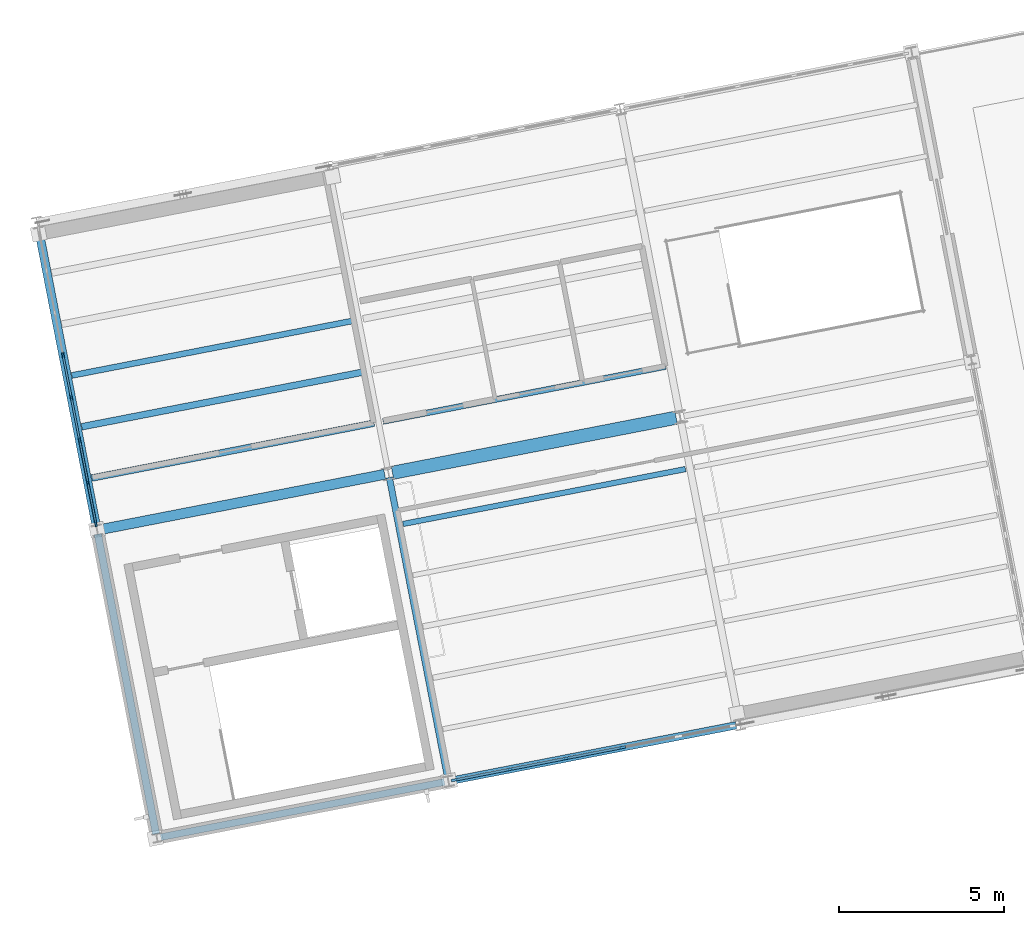
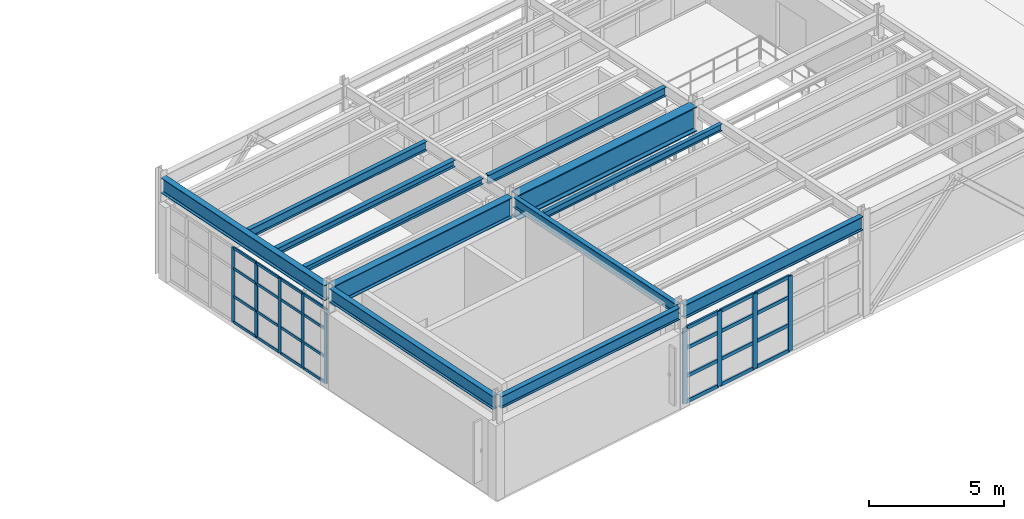
# One storey, part 18 of 102: 37 members, 12 beams, 2 elements without a shape of their own.
"""IFC4 building model written with IfcOpenShell, lengths in metres."""

from ifc_helpers import new_model, si_unit, direction, frame, origin, origin_2d, place, context, subcontext, project, spatial, rectangle, i_section, extrude, material, layer, layer_set, material_profile, profile_set, type_object, element, aggregate, save


model = new_model("IFC4")

# Units and contexts
model_context = context("Model", 3, precision=1e-05, world=origin(), true_north=direction((0.0, 1.0)))
body_context = subcontext(model_context, "Body", "Model", "MODEL_VIEW")
ifc_project = project(units=[si_unit("LENGTHUNIT", "METRE"), si_unit("AREAUNIT", "SQUARE_METRE"), si_unit("VOLUMEUNIT", "CUBIC_METRE"), si_unit("PLANEANGLEUNIT", "RADIAN"), si_unit("MASSUNIT", "GRAM", prefix="KILO")], contexts=[model_context])

# Site, building, storey
site_placement = place(None, origin())
site = spatial("IfcSite", under=ifc_project, at=site_placement, CompositionType="ELEMENT")
building_placement = place(site_placement, origin())
building = spatial("IfcBuilding", under=site, at=building_placement, Name="Vireo Bluff Cable Station", CompositionType="ELEMENT")
storey_placement = place(building_placement, frame((0.0, 0.0, 9.60009765625)))
storey = spatial("IfcBuildingStorey", under=building, at=storey_placement, Name="L02", CompositionType="ELEMENT", Elevation=9.60009765625)

# Beam
ifc_material_1 = material(Name="Steel ASTM A992 Gr. 50", Category="steel")
ifc_material_profile_1 = material_profile(ifc_material_1, i_section(OverallWidth=0.193115234375, OverallDepth=0.467041015625, WebThickness=0.011474609375, FlangeThickness=0.01904296875, FilletRadius=0.011962890625, at=origin_2d()), Name="W18X65")
ifc_profile_set_1 = profile_set([ifc_material_profile_1], Name="Steel ASTM A992 Gr. 50")
beam_type_1 = type_object("IfcBeamType", Name="BM-W18X65", PredefinedType="BEAM", material=ifc_profile_set_1)
beam_1_placement = place(storey_placement, frame((18.311767578125, 7.3349609375, 4.266357421875), z_axis=(-0.190799797627, 0.981628971264, 0.0), x_axis=(-0.981628971264, -0.190799797627, 0.0)))
element("IfcBeam", 1, at=beam_1_placement, inside=storey, type_object=beam_type_1, Name="V5 L02 beam 1260", PredefinedType="BEAM", context=body_context, shape_type="SweptSolid", body=[
    extrude(i_section(OverallWidth=0.193115234375, OverallDepth=0.467041015625, WebThickness=0.011474609375, FlangeThickness=0.01904296875, FilletRadius=0.011962890625, at=origin_2d()), origin(), (0.0, 0.0, 1.0), 9.26025390625),
])

# Curtain wall, members
ifc_material_2 = material(Name="Anodized Aluminium 6063-T6", Category="aluminium")
ifc_layer_1 = layer(ifc_material_2, 0.179931640625, Name="Anodized Aluminium 6063-T6")
ifc_layer_set_1 = layer_set([ifc_layer_1], Name="Anodized Aluminium 6063-T6")
curtain_wall_type_1 = type_object("IfcCurtainWallType", Name="CW-UNIT-1650", PredefinedType="USERDEFINED", material=ifc_layer_set_1)
curtain_wall_1_placement = place(storey_placement, origin())
curtain_wall_1 = element("IfcCurtainWall", 2, at=curtain_wall_1_placement, inside=storey, type_object=curtain_wall_type_1, Name="V5 L02 south curtain wall CW-125", ObjectType="UNITISED CURTAIN WALL", PredefinedType="USERDEFINED")
ifc_material_profile_2 = material_profile(ifc_material_2, rectangle(XDim=0.074951171875, YDim=0.2099609375, at=origin_2d()), Name="ALU-M-75X210")
ifc_profile_set_2 = profile_set([ifc_material_profile_2], Name="Anodized Aluminium 6063-T6")
member_type_1 = type_object("IfcMemberType", Name="CWM-02", PredefinedType="MULLION", material=ifc_profile_set_2)
member_1_placement = place(storey_placement, frame((23.603515625, 8.241455078125, 0.0), z_axis=(0.0, 0.0, 1.0), x_axis=(0.190808983435, -0.981627185769, 0.0)))
member_1 = element("IfcMember", 3, at=member_1_placement, type_object=member_type_1, Name="CW-125 mullion 3", PredefinedType="MULLION", context=body_context, shape_type="SweptSolid", body=[
    extrude(rectangle(XDim=0.074951171875, YDim=0.2099609375, at=origin_2d()), origin(), (0.0, 0.0, 1.0), 3.39990234375),
])
member_2_placement = place(storey_placement, frame((21.8984375, 7.909912109375, 0.0), z_axis=(0.0, 0.0, 1.0), x_axis=(0.190808983435, -0.981627185769, 0.0)))
member_2 = element("IfcMember", 4, at=member_2_placement, type_object=member_type_1, Name="CW-125 mullion 4", PredefinedType="MULLION", context=body_context, shape_type="SweptSolid", body=[
    extrude(rectangle(XDim=0.074951171875, YDim=0.2099609375, at=origin_2d()), origin(), (0.0, 0.0, 1.0), 3.39990234375),
])
member_3_placement = place(storey_placement, frame((20.193359375, 7.57861328125, 0.0), z_axis=(0.0, 0.0, 1.0), x_axis=(0.190808983435, -0.981627185769, 0.0)))
member_3 = element("IfcMember", 5, at=member_3_placement, type_object=member_type_1, Name="CW-125 mullion 5", PredefinedType="MULLION", context=body_context, shape_type="SweptSolid", body=[
    extrude(rectangle(XDim=0.074951171875, YDim=0.2099609375, at=origin_2d()), origin(), (0.0, 0.0, 1.0), 3.39990234375),
])
member_4_placement = place(storey_placement, frame((18.525146484375, 7.25439453125, 0.0), z_axis=(0.0, 0.0, 1.0), x_axis=(0.190808983435, -0.981627185769, 0.0)))
member_4 = element("IfcMember", 6, at=member_4_placement, type_object=member_type_1, Name="CW-125 mullion 6", PredefinedType="MULLION", context=body_context, shape_type="SweptSolid", body=[
    extrude(rectangle(XDim=0.074951171875, YDim=0.2099609375, at=origin_2d()), origin(), (0.0, 0.0, 1.0), 3.39990234375),
])

ifc_layer_2 = layer(ifc_material_2, 0.179931640625, Name="Anodized Aluminium 6063-T6")
ifc_layer_set_2 = layer_set([ifc_layer_2], Name="Anodized Aluminium 6063-T6")
curtain_wall_type_2 = type_object("IfcCurtainWallType", Name="CW-UNIT-1400", PredefinedType="USERDEFINED", material=ifc_layer_set_2)
curtain_wall_2_placement = place(storey_placement, origin())
curtain_wall_2 = element("IfcCurtainWall", 7, at=curtain_wall_2_placement, inside=storey, type_object=curtain_wall_type_2, Name="V5 L02 west curtain wall CW-126", ObjectType="UNITISED CURTAIN WALL", PredefinedType="USERDEFINED")
ifc_material_profile_3 = material_profile(ifc_material_2, rectangle(XDim=0.06005859375, YDim=0.159912109375, at=origin_2d()), Name="ALU-M-60X160")
ifc_profile_set_3 = profile_set([ifc_material_profile_3], Name="Anodized Aluminium 6063-T6")
member_type_2 = type_object("IfcMemberType", Name="CWM-03", PredefinedType="MULLION", material=ifc_profile_set_3)
member_5_placement = place(storey_placement, frame((7.650390625, 15.015380859375, 0.0), z_axis=(0.0, 0.0, 1.0), x_axis=(-0.981627180714, -0.190809009442, 0.0)))
member_5 = element("IfcMember", 8, at=member_5_placement, type_object=member_type_2, Name="CW-126 mullion 1", PredefinedType="MULLION", context=body_context, shape_type="SweptSolid", body=[
    extrude(rectangle(XDim=0.06005859375, YDim=0.159912109375, at=origin_2d()), origin(), (0.0, 0.0, 1.0), 3.39990234375),
])
member_6_placement = place(storey_placement, frame((7.40625, 16.271484375, 0.0), z_axis=(0.0, 0.0, 1.0), x_axis=(-0.981627180714, -0.190809009442, 0.0)))
member_6 = element("IfcMember", 9, at=member_6_placement, type_object=member_type_2, Name="CW-126 mullion 2", PredefinedType="MULLION", context=body_context, shape_type="SweptSolid", body=[
    extrude(rectangle(XDim=0.06005859375, YDim=0.159912109375, at=origin_2d()), origin(), (0.0, 0.0, 1.0), 3.39990234375),
])
member_7_placement = place(storey_placement, frame((7.15625, 17.557373046875, 0.0), z_axis=(0.0, 0.0, 1.0), x_axis=(-0.981627180714, -0.190809009442, 0.0)))
member_7 = element("IfcMember", 10, at=member_7_placement, type_object=member_type_2, Name="CW-126 mullion 3", PredefinedType="MULLION", context=body_context, shape_type="SweptSolid", body=[
    extrude(rectangle(XDim=0.06005859375, YDim=0.159912109375, at=origin_2d()), origin(), (0.0, 0.0, 1.0), 3.39990234375),
])
member_8_placement = place(storey_placement, frame((6.906494140625, 18.843017578125, 0.0), z_axis=(0.0, 0.0, 1.0), x_axis=(-0.981627180714, -0.190809009442, 0.0)))
member_8 = element("IfcMember", 11, at=member_8_placement, type_object=member_type_2, Name="CW-126 mullion 4", PredefinedType="MULLION", context=body_context, shape_type="SweptSolid", body=[
    extrude(rectangle(XDim=0.06005859375, YDim=0.159912109375, at=origin_2d()), origin(), (0.0, 0.0, 1.0), 3.39990234375),
])
member_9_placement = place(storey_placement, frame((6.656494140625, 20.128662109375, 0.0), z_axis=(0.0, 0.0, 1.0), x_axis=(-0.981627180714, -0.190809009442, 0.0)))
member_9 = element("IfcMember", 12, at=member_9_placement, type_object=member_type_2, Name="CW-126 mullion 5", PredefinedType="MULLION", context=body_context, shape_type="SweptSolid", body=[
    extrude(rectangle(XDim=0.06005859375, YDim=0.159912109375, at=origin_2d()), origin(), (0.0, 0.0, 1.0), 3.39990234375),
])

# Member
ifc_material_profile_4 = material_profile(ifc_material_2, rectangle(XDim=0.074951171875, YDim=0.159912109375, at=origin_2d()), Name="ALU-T-75X160")
ifc_profile_set_4 = profile_set([ifc_material_profile_4], Name="Anodized Aluminium 6063-T6")
member_type_3 = type_object("IfcMemberType", Name="CWT-02", PredefinedType="USERDEFINED", material=ifc_profile_set_4)
member_10_placement = place(storey_placement, frame((23.566650390625, 8.234375, 0.037353515625), z_axis=(-0.981623034524, -0.190830338498, 0.0), x_axis=(0.190830338498, -0.981623034524, 0.0)))
member_10 = element("IfcMember", 13, at=member_10_placement, type_object=member_type_3, Name="CW-125 transom 3.1", ObjectType="TRANSOM", PredefinedType="USERDEFINED", context=body_context, shape_type="SweptSolid", body=[
    extrude(rectangle(XDim=0.074951171875, YDim=0.159912109375, at=origin_2d()), origin(), (0.0, 0.0, 1.0), 1.661865234375),
])

member_11_placement = place(storey_placement, frame((23.566650390625, 8.234375, 1.18994140625), z_axis=(-0.981623034524, -0.190830338498, 0.0), x_axis=(0.190830338498, -0.981623034524, 0.0)))
member_11 = element("IfcMember", 14, at=member_11_placement, type_object=member_type_3, Name="CW-125 transom 3.2", ObjectType="TRANSOM", PredefinedType="USERDEFINED", context=body_context, shape_type="SweptSolid", body=[
    extrude(rectangle(XDim=0.074951171875, YDim=0.159912109375, at=origin_2d()), origin(), (0.0, 0.0, 1.0), 1.661865234375),
])

member_12_placement = place(storey_placement, frame((23.566650390625, 8.234375, 2.447998046875), z_axis=(-0.981623034524, -0.190830338498, 0.0), x_axis=(0.190830338498, -0.981623034524, 0.0)))
member_12 = element("IfcMember", 15, at=member_12_placement, type_object=member_type_3, Name="CW-125 transom 3.3", ObjectType="TRANSOM", PredefinedType="USERDEFINED", context=body_context, shape_type="SweptSolid", body=[
    extrude(rectangle(XDim=0.074951171875, YDim=0.159912109375, at=origin_2d()), origin(), (0.0, 0.0, 1.0), 1.661865234375),
])

member_13_placement = place(storey_placement, frame((23.566650390625, 8.234375, 3.3623046875), z_axis=(-0.981623034524, -0.190830338498, 0.0), x_axis=(0.190830338498, -0.981623034524, 0.0)))
member_13 = element("IfcMember", 16, at=member_13_placement, type_object=member_type_3, Name="CW-125 transom 3.4", ObjectType="TRANSOM", PredefinedType="USERDEFINED", context=body_context, shape_type="SweptSolid", body=[
    extrude(rectangle(XDim=0.074951171875, YDim=0.159912109375, at=origin_2d()), origin(), (0.0, 0.0, 1.0), 1.661865234375),
])

member_14_placement = place(storey_placement, frame((21.861572265625, 7.90283203125, 0.037353515625), z_axis=(-0.981623034524, -0.190830338498, 0.0), x_axis=(0.190830338498, -0.981623034524, 0.0)))
member_14 = element("IfcMember", 17, at=member_14_placement, type_object=member_type_3, Name="CW-125 transom 4.1", ObjectType="TRANSOM", PredefinedType="USERDEFINED", context=body_context, shape_type="SweptSolid", body=[
    extrude(rectangle(XDim=0.074951171875, YDim=0.159912109375, at=origin_2d()), origin(), (0.0, 0.0, 1.0), 1.661865234375),
])

member_15_placement = place(storey_placement, frame((21.861572265625, 7.90283203125, 1.18994140625), z_axis=(-0.981623034524, -0.190830338498, 0.0), x_axis=(0.190830338498, -0.981623034524, 0.0)))
member_15 = element("IfcMember", 18, at=member_15_placement, type_object=member_type_3, Name="CW-125 transom 4.2", ObjectType="TRANSOM", PredefinedType="USERDEFINED", context=body_context, shape_type="SweptSolid", body=[
    extrude(rectangle(XDim=0.074951171875, YDim=0.159912109375, at=origin_2d()), origin(), (0.0, 0.0, 1.0), 1.661865234375),
])

member_16_placement = place(storey_placement, frame((21.861572265625, 7.90283203125, 2.447998046875), z_axis=(-0.981623034524, -0.190830338498, 0.0), x_axis=(0.190830338498, -0.981623034524, 0.0)))
member_16 = element("IfcMember", 19, at=member_16_placement, type_object=member_type_3, Name="CW-125 transom 4.3", ObjectType="TRANSOM", PredefinedType="USERDEFINED", context=body_context, shape_type="SweptSolid", body=[
    extrude(rectangle(XDim=0.074951171875, YDim=0.159912109375, at=origin_2d()), origin(), (0.0, 0.0, 1.0), 1.661865234375),
])

member_17_placement = place(storey_placement, frame((21.861572265625, 7.90283203125, 3.3623046875), z_axis=(-0.981623034524, -0.190830338498, 0.0), x_axis=(0.190830338498, -0.981623034524, 0.0)))
member_17 = element("IfcMember", 20, at=member_17_placement, type_object=member_type_3, Name="CW-125 transom 4.4", ObjectType="TRANSOM", PredefinedType="USERDEFINED", context=body_context, shape_type="SweptSolid", body=[
    extrude(rectangle(XDim=0.074951171875, YDim=0.159912109375, at=origin_2d()), origin(), (0.0, 0.0, 1.0), 1.661865234375),
])

member_18_placement = place(storey_placement, frame((20.156494140625, 7.571533203125, 0.037353515625), z_axis=(-0.981613042894, -0.190881727833, 0.0), x_axis=(0.190881727833, -0.981613042894, 0.0)))
member_18 = element("IfcMember", 21, at=member_18_placement, type_object=member_type_3, Name="CW-125 transom 5.1", ObjectType="TRANSOM", PredefinedType="USERDEFINED", context=body_context, shape_type="SweptSolid", body=[
    extrude(rectangle(XDim=0.074951171875, YDim=0.159912109375, at=origin_2d()), origin(), (0.0, 0.0, 1.0), 1.624267578125),
])

member_19_placement = place(storey_placement, frame((20.156494140625, 7.571533203125, 1.18994140625), z_axis=(-0.981613042894, -0.190881727833, 0.0), x_axis=(0.190881727833, -0.981613042894, 0.0)))
member_19 = element("IfcMember", 22, at=member_19_placement, type_object=member_type_3, Name="CW-125 transom 5.2", ObjectType="TRANSOM", PredefinedType="USERDEFINED", context=body_context, shape_type="SweptSolid", body=[
    extrude(rectangle(XDim=0.074951171875, YDim=0.159912109375, at=origin_2d()), origin(), (0.0, 0.0, 1.0), 1.624267578125),
])

member_20_placement = place(storey_placement, frame((20.156494140625, 7.571533203125, 2.447998046875), z_axis=(-0.981613042894, -0.190881727833, 0.0), x_axis=(0.190881727833, -0.981613042894, 0.0)))
member_20 = element("IfcMember", 23, at=member_20_placement, type_object=member_type_3, Name="CW-125 transom 5.3", ObjectType="TRANSOM", PredefinedType="USERDEFINED", context=body_context, shape_type="SweptSolid", body=[
    extrude(rectangle(XDim=0.074951171875, YDim=0.159912109375, at=origin_2d()), origin(), (0.0, 0.0, 1.0), 1.624267578125),
])

member_21_placement = place(storey_placement, frame((20.156494140625, 7.571533203125, 3.3623046875), z_axis=(-0.981613042894, -0.190881727833, 0.0), x_axis=(0.190881727833, -0.981613042894, 0.0)))
member_21 = element("IfcMember", 24, at=member_21_placement, type_object=member_type_3, Name="CW-125 transom 5.4", ObjectType="TRANSOM", PredefinedType="USERDEFINED", context=body_context, shape_type="SweptSolid", body=[
    extrude(rectangle(XDim=0.074951171875, YDim=0.159912109375, at=origin_2d()), origin(), (0.0, 0.0, 1.0), 1.624267578125),
])

aggregate(curtain_wall_1, [member_1, member_2, member_3, member_4, member_10, member_11, member_12, member_13, member_14, member_15, member_16, member_17, member_18, member_19, member_20, member_21])

ifc_material_profile_5 = material_profile(ifc_material_2, rectangle(XDim=0.06005859375, YDim=0.1201171875, at=origin_2d()), Name="ALU-T-60X120")
ifc_profile_set_5 = profile_set([ifc_material_profile_5], Name="Anodized Aluminium 6063-T6")
member_type_4 = type_object("IfcMemberType", Name="CWT-03", PredefinedType="USERDEFINED", material=ifc_profile_set_5)
member_22_placement = place(storey_placement, frame((7.644775390625, 15.044921875, 0.02978515625), z_axis=(-0.190955378682, 0.981598718088, 0.0), x_axis=(-0.981598718088, -0.190955378682, 0.0)))
member_22 = element("IfcMember", 25, at=member_22_placement, type_object=member_type_4, Name="CW-126 transom 1.1", ObjectType="TRANSOM", PredefinedType="USERDEFINED", context=body_context, shape_type="SweptSolid", body=[
    extrude(rectangle(XDim=0.06005859375, YDim=0.1201171875, at=origin_2d()), origin(), (0.0, 0.0, 1.0), 1.2197265625),
])

member_23_placement = place(storey_placement, frame((7.644775390625, 15.044921875, 1.18994140625), z_axis=(-0.190955378682, 0.981598718088, 0.0), x_axis=(-0.981598718088, -0.190955378682, 0.0)))
member_23 = element("IfcMember", 26, at=member_23_placement, type_object=member_type_4, Name="CW-126 transom 1.2", ObjectType="TRANSOM", PredefinedType="USERDEFINED", context=body_context, shape_type="SweptSolid", body=[
    extrude(rectangle(XDim=0.06005859375, YDim=0.1201171875, at=origin_2d()), origin(), (0.0, 0.0, 1.0), 1.2197265625),
])

member_24_placement = place(storey_placement, frame((7.644775390625, 15.044921875, 2.447998046875), z_axis=(-0.190955378682, 0.981598718088, 0.0), x_axis=(-0.981598718088, -0.190955378682, 0.0)))
member_24 = element("IfcMember", 27, at=member_24_placement, type_object=member_type_4, Name="CW-126 transom 1.3", ObjectType="TRANSOM", PredefinedType="USERDEFINED", context=body_context, shape_type="SweptSolid", body=[
    extrude(rectangle(XDim=0.06005859375, YDim=0.1201171875, at=origin_2d()), origin(), (0.0, 0.0, 1.0), 1.2197265625),
])

member_25_placement = place(storey_placement, frame((7.644775390625, 15.044921875, 3.369873046875), z_axis=(-0.190955378682, 0.981598718088, 0.0), x_axis=(-0.981598718088, -0.190955378682, 0.0)))
member_25 = element("IfcMember", 28, at=member_25_placement, type_object=member_type_4, Name="CW-126 transom 1.4", ObjectType="TRANSOM", PredefinedType="USERDEFINED", context=body_context, shape_type="SweptSolid", body=[
    extrude(rectangle(XDim=0.06005859375, YDim=0.1201171875, at=origin_2d()), origin(), (0.0, 0.0, 1.0), 1.2197265625),
])

member_26_placement = place(storey_placement, frame((7.400390625, 16.301025390625, 0.02978515625), z_axis=(-0.190665731308, 0.981655020312, 0.0), x_axis=(-0.981655020312, -0.190665731308, 0.0)))
member_26 = element("IfcMember", 29, at=member_26_placement, type_object=member_type_4, Name="CW-126 transom 2.1", ObjectType="TRANSOM", PredefinedType="USERDEFINED", context=body_context, shape_type="SweptSolid", body=[
    extrude(rectangle(XDim=0.06005859375, YDim=0.1201171875, at=origin_2d()), origin(), (0.0, 0.0, 1.0), 1.249755859375),
])

member_27_placement = place(storey_placement, frame((7.400390625, 16.301025390625, 1.18994140625), z_axis=(-0.190665731308, 0.981655020312, 0.0), x_axis=(-0.981655020312, -0.190665731308, 0.0)))
member_27 = element("IfcMember", 30, at=member_27_placement, type_object=member_type_4, Name="CW-126 transom 2.2", ObjectType="TRANSOM", PredefinedType="USERDEFINED", context=body_context, shape_type="SweptSolid", body=[
    extrude(rectangle(XDim=0.06005859375, YDim=0.1201171875, at=origin_2d()), origin(), (0.0, 0.0, 1.0), 1.249755859375),
])

member_28_placement = place(storey_placement, frame((7.400390625, 16.301025390625, 2.447998046875), z_axis=(-0.190665731308, 0.981655020312, 0.0), x_axis=(-0.981655020312, -0.190665731308, 0.0)))
member_28 = element("IfcMember", 31, at=member_28_placement, type_object=member_type_4, Name="CW-126 transom 2.3", ObjectType="TRANSOM", PredefinedType="USERDEFINED", context=body_context, shape_type="SweptSolid", body=[
    extrude(rectangle(XDim=0.06005859375, YDim=0.1201171875, at=origin_2d()), origin(), (0.0, 0.0, 1.0), 1.249755859375),
])

member_29_placement = place(storey_placement, frame((7.400390625, 16.301025390625, 3.369873046875), z_axis=(-0.190665731308, 0.981655020312, 0.0), x_axis=(-0.981655020312, -0.190665731308, 0.0)))
member_29 = element("IfcMember", 32, at=member_29_placement, type_object=member_type_4, Name="CW-126 transom 2.4", ObjectType="TRANSOM", PredefinedType="USERDEFINED", context=body_context, shape_type="SweptSolid", body=[
    extrude(rectangle(XDim=0.06005859375, YDim=0.1201171875, at=origin_2d()), origin(), (0.0, 0.0, 1.0), 1.249755859375),
])

member_30_placement = place(storey_placement, frame((7.150634765625, 17.586669921875, 0.02978515625), z_axis=(-0.190853973226, 0.98161843957, 0.0), x_axis=(-0.98161843957, -0.190853973226, 0.0)))
member_30 = element("IfcMember", 33, at=member_30_placement, type_object=member_type_4, Name="CW-126 transom 3.1", ObjectType="TRANSOM", PredefinedType="USERDEFINED", context=body_context, shape_type="SweptSolid", body=[
    extrude(rectangle(XDim=0.06005859375, YDim=0.1201171875, at=origin_2d()), origin(), (0.0, 0.0, 1.0), 1.249755859375),
])

member_31_placement = place(storey_placement, frame((7.150634765625, 17.586669921875, 1.18994140625), z_axis=(-0.190853973226, 0.98161843957, 0.0), x_axis=(-0.98161843957, -0.190853973226, 0.0)))
member_31 = element("IfcMember", 34, at=member_31_placement, type_object=member_type_4, Name="CW-126 transom 3.2", ObjectType="TRANSOM", PredefinedType="USERDEFINED", context=body_context, shape_type="SweptSolid", body=[
    extrude(rectangle(XDim=0.06005859375, YDim=0.1201171875, at=origin_2d()), origin(), (0.0, 0.0, 1.0), 1.249755859375),
])

member_32_placement = place(storey_placement, frame((7.150634765625, 17.586669921875, 2.447998046875), z_axis=(-0.190853973226, 0.98161843957, 0.0), x_axis=(-0.98161843957, -0.190853973226, 0.0)))
member_32 = element("IfcMember", 35, at=member_32_placement, type_object=member_type_4, Name="CW-126 transom 3.3", ObjectType="TRANSOM", PredefinedType="USERDEFINED", context=body_context, shape_type="SweptSolid", body=[
    extrude(rectangle(XDim=0.06005859375, YDim=0.1201171875, at=origin_2d()), origin(), (0.0, 0.0, 1.0), 1.249755859375),
])

member_33_placement = place(storey_placement, frame((7.150634765625, 17.586669921875, 3.369873046875), z_axis=(-0.190853973226, 0.98161843957, 0.0), x_axis=(-0.98161843957, -0.190853973226, 0.0)))
member_33 = element("IfcMember", 36, at=member_33_placement, type_object=member_type_4, Name="CW-126 transom 3.4", ObjectType="TRANSOM", PredefinedType="USERDEFINED", context=body_context, shape_type="SweptSolid", body=[
    extrude(rectangle(XDim=0.06005859375, YDim=0.1201171875, at=origin_2d()), origin(), (0.0, 0.0, 1.0), 1.249755859375),
])

member_34_placement = place(storey_placement, frame((6.900634765625, 18.872314453125, 0.02978515625), z_axis=(-0.190853973226, 0.98161843957, 0.0), x_axis=(-0.98161843957, -0.190853973226, 0.0)))
member_34 = element("IfcMember", 37, at=member_34_placement, type_object=member_type_4, Name="CW-126 transom 4.1", ObjectType="TRANSOM", PredefinedType="USERDEFINED", context=body_context, shape_type="SweptSolid", body=[
    extrude(rectangle(XDim=0.06005859375, YDim=0.1201171875, at=origin_2d()), origin(), (0.0, 0.0, 1.0), 1.249755859375),
])

member_35_placement = place(storey_placement, frame((6.900634765625, 18.872314453125, 1.18994140625), z_axis=(-0.190853973226, 0.98161843957, 0.0), x_axis=(-0.98161843957, -0.190853973226, 0.0)))
member_35 = element("IfcMember", 38, at=member_35_placement, type_object=member_type_4, Name="CW-126 transom 4.2", ObjectType="TRANSOM", PredefinedType="USERDEFINED", context=body_context, shape_type="SweptSolid", body=[
    extrude(rectangle(XDim=0.06005859375, YDim=0.1201171875, at=origin_2d()), origin(), (0.0, 0.0, 1.0), 1.249755859375),
])

member_36_placement = place(storey_placement, frame((6.900634765625, 18.872314453125, 2.447998046875), z_axis=(-0.190853973226, 0.98161843957, 0.0), x_axis=(-0.98161843957, -0.190853973226, 0.0)))
member_36 = element("IfcMember", 39, at=member_36_placement, type_object=member_type_4, Name="CW-126 transom 4.3", ObjectType="TRANSOM", PredefinedType="USERDEFINED", context=body_context, shape_type="SweptSolid", body=[
    extrude(rectangle(XDim=0.06005859375, YDim=0.1201171875, at=origin_2d()), origin(), (0.0, 0.0, 1.0), 1.249755859375),
])

member_37_placement = place(storey_placement, frame((6.900634765625, 18.872314453125, 3.369873046875), z_axis=(-0.190853973226, 0.98161843957, 0.0), x_axis=(-0.98161843957, -0.190853973226, 0.0)))
member_37 = element("IfcMember", 40, at=member_37_placement, type_object=member_type_4, Name="CW-126 transom 4.4", ObjectType="TRANSOM", PredefinedType="USERDEFINED", context=body_context, shape_type="SweptSolid", body=[
    extrude(rectangle(XDim=0.06005859375, YDim=0.1201171875, at=origin_2d()), origin(), (0.0, 0.0, 1.0), 1.249755859375),
])

aggregate(curtain_wall_2, [member_5, member_6, member_7, member_8, member_9, member_22, member_23, member_24, member_25, member_26, member_27, member_28, member_29, member_30, member_31, member_32, member_33, member_34, member_35, member_36, member_37])

# Beams
ifc_material_profile_6 = material_profile(ifc_material_1, i_section(OverallWidth=0.306884765625, OverallDepth=0.927001953125, WebThickness=0.019287109375, FlangeThickness=0.031982421875, FilletRadius=0.02001953125, at=origin_2d()), Name="W36X194")
ifc_profile_set_6 = profile_set([ifc_material_profile_6], Name="Steel ASTM A992 Gr. 50")
beam_type_2 = type_object("IfcBeamType", Name="GIR-W36X194", PredefinedType="USERDEFINED", material=ifc_profile_set_6)
beam_2_placement = place(storey_placement, frame((7.80517578125, 14.848388671875, 4.036376953125), z_axis=(0.981628586979, 0.190801774693, 0.0), x_axis=(-0.190801774693, 0.981628586979, 0.0)))
element("IfcBeam", 41, at=beam_2_placement, inside=storey, type_object=beam_type_2, Name="V5 L02 girder 1252", ObjectType="GIRDER", PredefinedType="USERDEFINED", context=body_context, shape_type="SweptSolid", body=[
    extrude(i_section(OverallWidth=0.306884765625, OverallDepth=0.927001953125, WebThickness=0.019287109375, FlangeThickness=0.031982421875, FilletRadius=0.02001953125, at=origin_2d()), origin(), (0.0, 0.0, 1.0), 8.759765625),
])
ifc_material_profile_7 = material_profile(ifc_material_1, i_section(OverallWidth=0.404052734375, OverallDepth=1.117919921875, WebThickness=0.026123046875, FlangeThickness=0.044921875, FilletRadius=0.02197265625, at=origin_2d()), Name="W44X335")
ifc_profile_set_7 = profile_set([ifc_material_profile_7], Name="Steel ASTM A992 Gr. 50")
beam_type_3 = type_object("IfcBeamType", Name="GIR-W44X335", PredefinedType="USERDEFINED", material=ifc_profile_set_7)
beam_3_placement = place(storey_placement, frame((16.6396484375, 16.565673828125, 3.94091796875), z_axis=(0.981629601573, 0.190796554777, 0.0), x_axis=(-0.190796554777, 0.981629601573, 0.0)))
element("IfcBeam", 42, at=beam_3_placement, inside=storey, type_object=beam_type_3, Name="V5 L02 girder 1253", ObjectType="GIRDER", PredefinedType="USERDEFINED", context=body_context, shape_type="SweptSolid", body=[
    extrude(i_section(OverallWidth=0.404052734375, OverallDepth=1.117919921875, WebThickness=0.026123046875, FlangeThickness=0.044921875, FilletRadius=0.02197265625, at=origin_2d()), origin(), (0.0, 0.0, 1.0), 8.760009765625),
])
ifc_material_profile_8 = material_profile(ifc_material_1, i_section(OverallWidth=0.201904296875, OverallDepth=0.2470703125, WebThickness=0.00732421875, FlangeThickness=0.010986328125, FilletRadius=0.009033203125, at=origin_2d()), Name="W10X33")
ifc_profile_set_8 = profile_set([ifc_material_profile_8], Name="Steel ASTM A992 Gr. 50")
beam_type_4 = type_object("IfcBeamType", Name="JST-W10X33", PredefinedType="JOIST", material=ifc_profile_set_8)
beam_4_placement = place(storey_placement, frame((7.522705078125, 16.406494140625, 4.37646484375), z_axis=(0.981628064538, 0.190804462503, 0.0), x_axis=(-0.190804462503, 0.981628064538, 0.0)))
element("IfcBeam", 43, at=beam_4_placement, inside=storey, type_object=beam_type_4, Name="V5 L02 composite joist 1266", PredefinedType="JOIST", context=body_context, shape_type="SweptSolid", body=[
    extrude(i_section(OverallWidth=0.201904296875, OverallDepth=0.2470703125, WebThickness=0.00732421875, FlangeThickness=0.010986328125, FilletRadius=0.009033203125, at=origin_2d()), origin(), (0.0, 0.0, 1.0), 8.719970703125),
])
ifc_material_profile_9 = material_profile(ifc_material_1, i_section(OverallWidth=0.1650390625, OverallDepth=0.31005859375, WebThickness=0.005859375, FlangeThickness=0.009765625, FilletRadius=0.010009765625, at=origin_2d()), Name="W12X26")
ifc_profile_set_9 = profile_set([ifc_material_profile_9], Name="Steel ASTM A992 Gr. 50")
beam_type_5 = type_object("IfcBeamType", Name="JST-W12X26", PredefinedType="JOIST", material=ifc_profile_set_9)
beam_5_placement = place(storey_placement, frame((16.96142578125, 15.01513671875, 4.344970703125), z_axis=(0.981628064538, 0.190804462503, 0.0), x_axis=(-0.190804462503, 0.981628064538, 0.0)))
element("IfcBeam", 44, at=beam_5_placement, inside=storey, type_object=beam_type_5, Name="V5 L02 composite joist 1275", PredefinedType="JOIST", context=body_context, shape_type="SweptSolid", body=[
    extrude(i_section(OverallWidth=0.1650390625, OverallDepth=0.31005859375, WebThickness=0.005859375, FlangeThickness=0.009765625, FilletRadius=0.010009765625, at=origin_2d()), origin(), (0.0, 0.0, 1.0), 8.719970703125),
])
ifc_material_profile_10 = material_profile(ifc_material_1, i_section(OverallWidth=0.202880859375, OverallDepth=0.302978515625, WebThickness=0.007568359375, FlangeThickness=0.01318359375, FilletRadius=0.010009765625, at=origin_2d()), Name="W12X40")
ifc_profile_set_10 = profile_set([ifc_material_profile_10], Name="Steel ASTM A992 Gr. 50")
beam_type_6 = type_object("IfcBeamType", Name="JST-W12X40", PredefinedType="JOIST", material=ifc_profile_set_10)
beam_6_placement = place(storey_placement, frame((7.220458984375, 17.960693359375, 4.348388671875), z_axis=(0.981628064538, 0.190804462503, 0.0), x_axis=(-0.190804462503, 0.981628064538, 0.0)))
element("IfcBeam", 45, at=beam_6_placement, inside=storey, type_object=beam_type_6, Name="V5 L02 composite joist 1267", PredefinedType="JOIST", context=body_context, shape_type="SweptSolid", body=[
    extrude(i_section(OverallWidth=0.202880859375, OverallDepth=0.302978515625, WebThickness=0.007568359375, FlangeThickness=0.01318359375, FilletRadius=0.010009765625, at=origin_2d()), origin(), (0.0, 0.0, 1.0), 8.719970703125),
])
ifc_material_profile_11 = material_profile(ifc_material_1, i_section(OverallWidth=0.177978515625, OverallDepth=0.404052734375, WebThickness=0.007568359375, FlangeThickness=0.010986328125, FilletRadius=0.010009765625, at=origin_2d()), Name="W16X36")
ifc_profile_set_11 = profile_set([ifc_material_profile_11], Name="Steel ASTM A992 Gr. 50")
beam_type_7 = type_object("IfcBeamType", Name="JST-W16X36", PredefinedType="JOIST", material=ifc_profile_set_11)
for number, where, z_axis, x_axis, name in (
    (46, (6.91845703125, 19.514892578125, 4.2978515625), (0.981628064538, 0.190804462503, 0.0), (-0.190804462503, 0.981628064538, 0.0), "V5 L02 composite joist 1268"),
    (47, (16.357177734375, 18.123779296875, 4.2978515625), (0.981628064538, 0.190804462503, 0.0), (-0.190804462503, 0.981628064538, 0.0), "V5 L02 composite joist 1276"),
):
    element("IfcBeam", number, at=place(storey_placement, frame(where, z_axis=z_axis, x_axis=x_axis)), inside=storey, type_object=beam_type_7, Name=name, PredefinedType="JOIST", context=body_context, shape_type="SweptSolid", body=[
        extrude(i_section(OverallWidth=0.177978515625, OverallDepth=0.404052734375, WebThickness=0.007568359375, FlangeThickness=0.010986328125, FilletRadius=0.010009765625, at=origin_2d()), origin(), (0.0, 0.0, 1.0), 8.719970703125),
    ])
ifc_material_profile_12 = material_profile(ifc_material_1, i_section(OverallWidth=0.2099609375, OverallDepth=0.535888671875, WebThickness=0.010986328125, FlangeThickness=0.017333984375, FilletRadius=0.012939453125, at=origin_2d()), Name="W21X68")
ifc_profile_set_12 = profile_set([ifc_material_profile_12], Name="Steel ASTM A992 Gr. 50")
beam_type_8 = type_object("IfcBeamType", Name="SPN-W21X68", PredefinedType="SPANDREL", material=ifc_profile_set_12)
beam_7_placement = place(storey_placement, frame((9.61767578125, 5.52294921875, 4.23193359375), z_axis=(0.981629601573, 0.190796554777, 0.0), x_axis=(-0.190796554777, 0.981629601573, 0.0)))
element("IfcBeam", 48, at=beam_7_placement, inside=storey, type_object=beam_type_8, Name="V5 L02 spandrel 1249", PredefinedType="SPANDREL", context=body_context, shape_type="SweptSolid", body=[
    extrude(i_section(OverallWidth=0.2099609375, OverallDepth=0.535888671875, WebThickness=0.010986328125, FlangeThickness=0.017333984375, FilletRadius=0.012939453125, at=origin_2d()), origin(), (0.0, 0.0, 1.0), 8.760009765625),
])
ifc_material_profile_13 = material_profile(ifc_material_1, i_section(OverallWidth=0.22802734375, OverallDepth=0.60693359375, WebThickness=0.01123046875, FlangeThickness=0.017333984375, FilletRadius=0.012939453125, at=origin_2d()), Name="W24X76")
ifc_profile_set_13 = profile_set([ifc_material_profile_13], Name="Steel ASTM A992 Gr. 50")
beam_type_9 = type_object("IfcBeamType", Name="SPN-W24X76", PredefinedType="SPANDREL", material=ifc_profile_set_13)
beam_8_placement = place(storey_placement, frame((18.452392578125, 7.240234375, 4.1962890625), z_axis=(0.981629601573, 0.190796554777, 0.0), x_axis=(-0.190796554777, 0.981629601573, 0.0)))
element("IfcBeam", 49, at=beam_8_placement, inside=storey, type_object=beam_type_9, Name="V5 L02 spandrel 1250", PredefinedType="SPANDREL", context=body_context, shape_type="SweptSolid", body=[
    extrude(i_section(OverallWidth=0.22802734375, OverallDepth=0.60693359375, WebThickness=0.01123046875, FlangeThickness=0.017333984375, FilletRadius=0.012939453125, at=origin_2d()), origin(), (0.0, 0.0, 1.0), 8.760009765625),
])
beam_9_placement = place(storey_placement, frame((9.47705078125, 5.61767578125, 4.1962890625), z_axis=(-0.190799797627, 0.981628971264, 0.0), x_axis=(-0.981628971264, -0.190799797627, 0.0)))
element("IfcBeam", 50, at=beam_9_placement, inside=storey, type_object=beam_type_9, Name="V5 L02 spandrel 1258", PredefinedType="SPANDREL", context=body_context, shape_type="SweptSolid", body=[
    extrude(i_section(OverallWidth=0.22802734375, OverallDepth=0.60693359375, WebThickness=0.01123046875, FlangeThickness=0.017333984375, FilletRadius=0.012939453125, at=origin_2d()), origin(), (0.0, 0.0, 1.0), 9.26025390625),
])
ifc_material_profile_14 = material_profile(ifc_material_1, i_section(OverallWidth=0.257080078125, OverallDepth=0.693115234375, WebThickness=0.014404296875, FlangeThickness=0.023681640625, FilletRadius=0.014892578125, at=origin_2d()), Name="W27X114")
ifc_profile_set_14 = profile_set([ifc_material_profile_14], Name="Steel ASTM A992 Gr. 50")
beam_type_10 = type_object("IfcBeamType", Name="SPN-W27X114", PredefinedType="SPANDREL", material=ifc_profile_set_14)
beam_10_placement = place(storey_placement, frame((7.664306640625, 14.943359375, 4.1533203125), z_axis=(-0.190804735679, 0.981628011439, 0.0), x_axis=(-0.981628011439, -0.190804735679, 0.0)))
element("IfcBeam", 51, at=beam_10_placement, inside=storey, type_object=beam_type_10, Name="V5 L02 spandrel 1259", PredefinedType="SPANDREL", context=body_context, shape_type="SweptSolid", body=[
    extrude(i_section(OverallWidth=0.257080078125, OverallDepth=0.693115234375, WebThickness=0.014404296875, FlangeThickness=0.023681640625, FilletRadius=0.014892578125, at=origin_2d()), origin(), (0.0, 0.0, 1.0), 9.260009765625),
])

save(model, "model.ifc")
